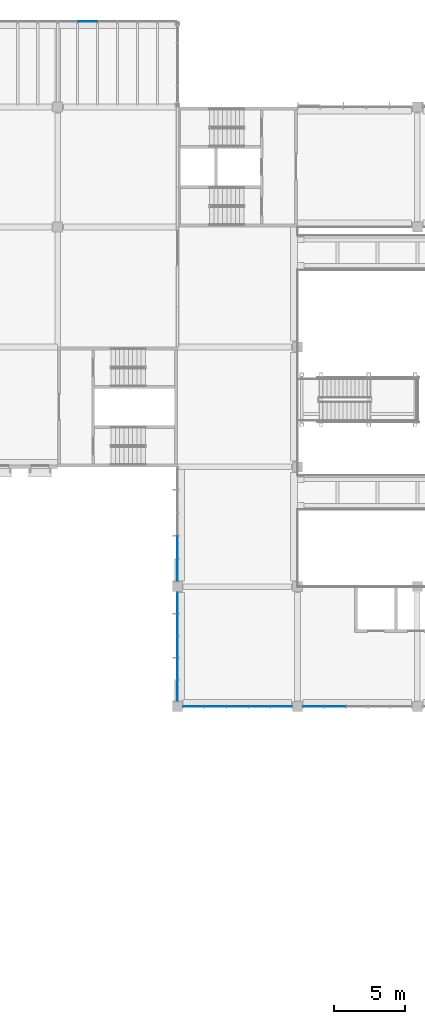
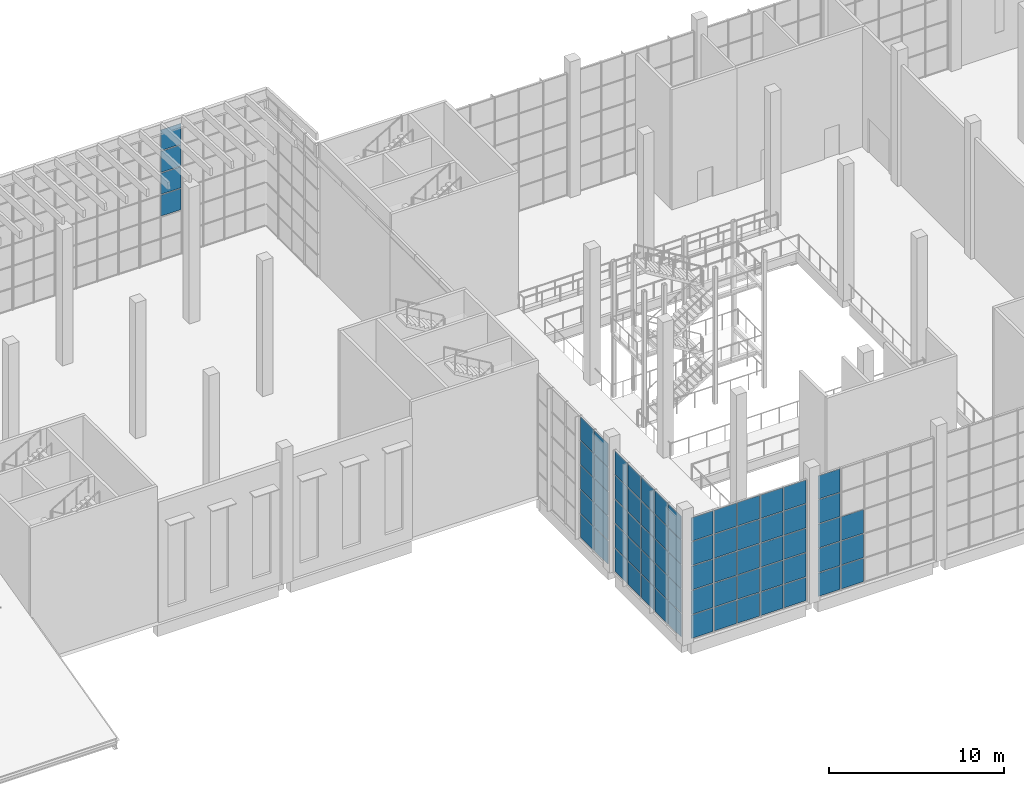
# One storey, part 34 of 114: 72 plates, 5 elements without a shape of their own.
"""IFC4 building model written with IfcOpenShell, lengths in metres."""

from ifc_helpers import new_model, si_unit, direction, frame, origin, origin_2d, place, context, subcontext, project, spatial, rectangle, extrude, material, layer, layer_set, type_object, element, aggregate, save


model = new_model("IFC4")

# Units and contexts
model_context = context("Model", 3, precision=1e-05, world=origin(), true_north=direction((0.0, 1.0)))
body_context = subcontext(model_context, "Body", "Model", "MODEL_VIEW")
ifc_project = project(units=[si_unit("LENGTHUNIT", "METRE"), si_unit("AREAUNIT", "SQUARE_METRE"), si_unit("VOLUMEUNIT", "CUBIC_METRE"), si_unit("PLANEANGLEUNIT", "RADIAN"), si_unit("MASSUNIT", "GRAM", prefix="KILO")], contexts=[model_context])

# Site, building, storey
site_placement = place(None, origin())
site = spatial("IfcSite", under=ifc_project, at=site_placement, CompositionType="ELEMENT")
building_placement = place(site_placement, origin())
building = spatial("IfcBuilding", under=site, at=building_placement, Name="Almond Square Museum", CompositionType="ELEMENT")
storey_placement = place(building_placement, frame((0.0, 0.0, 10.5)))
storey = spatial("IfcBuildingStorey", under=building, at=storey_placement, Name="L02", CompositionType="ELEMENT", Elevation=10.5)

# Curtain wall, plates
ifc_material_1 = material(Name="Aluminium and laminated glass", Category="aluminium")
curtain_wall_type = type_object("IfcCurtainWallType", Name="Unitised curtain wall 1500 module", PredefinedType="NOTDEFINED", material=ifc_material_1)
curtain_wall_1_placement = place(storey_placement, origin())
curtain_wall_1 = element("IfcCurtainWall", 1, at=curtain_wall_1_placement, inside=storey, type_object=curtain_wall_type, Name="Curtain wall CW-21", PredefinedType="NOTDEFINED")
ifc_material_2 = material(Name="Laminated hurricane-rated glass", Category="glass")
ifc_layer = layer(ifc_material_2, 0.035888671875)
ifc_layer_set = layer_set([ifc_layer], Name="Laminated hurricane-rated glass")
plate_type = type_object("IfcPlateType", Name="Laminated glass panel 36", PredefinedType="CURTAIN_PANEL", material=ifc_layer_set)
plate_1_placement = place(storey_placement, frame((66.89990234375, 115.199951171875, 3.08544921875), z_axis=(0.0, 0.0, 1.0), x_axis=(1.0, 0.0, 0.0)))
plate_1 = element("IfcPlate", 2, at=plate_1_placement, type_object=plate_type, Name="CW-21 panel 2.3", PredefinedType="CURTAIN_PANEL", context=body_context, shape_type="SweptSolid", body=[
    extrude(rectangle(XDim=1.340087890625, YDim=0.035888671875, at=origin_2d()), origin(), (0.0, 0.0, 1.0), 1.4677734375),
])
plate_2_placement = place(storey_placement, frame((66.89990234375, 115.199951171875, 4.613037109375), z_axis=(0.0, 0.0, 1.0), x_axis=(1.0, 0.0, 0.0)))
plate_2 = element("IfcPlate", 3, at=plate_2_placement, type_object=plate_type, Name="CW-21 panel 2.4", PredefinedType="CURTAIN_PANEL", context=body_context, shape_type="SweptSolid", body=[
    extrude(rectangle(XDim=1.340087890625, YDim=0.035888671875, at=origin_2d()), origin(), (0.0, 0.0, 1.0), 1.4677734375),
])
plate_3_placement = place(storey_placement, frame((66.89990234375, 115.199951171875, 6.140869140625), z_axis=(0.0, 0.0, 1.0), x_axis=(1.0, 0.0, 0.0)))
plate_3 = element("IfcPlate", 4, at=plate_3_placement, type_object=plate_type, Name="CW-21 panel 2.5", PredefinedType="CURTAIN_PANEL", context=body_context, shape_type="SweptSolid", body=[
    extrude(rectangle(XDim=1.340087890625, YDim=0.035888671875, at=origin_2d()), origin(), (0.0, 0.0, 1.0), 1.4677734375),
])
plate_4_placement = place(storey_placement, frame((66.89990234375, 115.199951171875, 7.66845703125), z_axis=(0.0, 0.0, 1.0), x_axis=(1.0, 0.0, 0.0)))
plate_4 = element("IfcPlate", 5, at=plate_4_placement, type_object=plate_type, Name="CW-21 panel 2.6", PredefinedType="CURTAIN_PANEL", context=body_context, shape_type="SweptSolid", body=[
    extrude(rectangle(XDim=1.340087890625, YDim=0.035888671875, at=origin_2d()), origin(), (0.0, 0.0, 1.0), 1.437744140625),
])
aggregate(curtain_wall_1, [plate_1, plate_2, plate_3, plate_4])

curtain_wall_2_placement = place(storey_placement, origin())
curtain_wall_2 = element("IfcCurtainWall", 6, at=curtain_wall_2_placement, inside=storey, type_object=curtain_wall_type, Name="Curtain wall CW-26", PredefinedType="NOTDEFINED")
plate_5_placement = place(storey_placement, frame((73.199951171875, 76.77001953125, 0.06005859375), z_axis=(0.0, 0.0, 1.0), x_axis=(0.0, 1.0, 0.0)))
plate_5 = element("IfcPlate", 7, at=plate_5_placement, type_object=plate_type, Name="CW-26 panel 1.1", PredefinedType="CURTAIN_PANEL", context=body_context, shape_type="SweptSolid", body=[
    extrude(rectangle(XDim=1.52001953125, YDim=0.035888671875, at=origin_2d()), origin(), (0.0, 0.0, 1.0), 1.6201171875),
])
plate_6_placement = place(storey_placement, frame((73.199951171875, 76.77001953125, 1.739990234375), z_axis=(0.0, 0.0, 1.0), x_axis=(0.0, 1.0, 0.0)))
plate_6 = element("IfcPlate", 8, at=plate_6_placement, type_object=plate_type, Name="CW-26 panel 1.2", PredefinedType="CURTAIN_PANEL", context=body_context, shape_type="SweptSolid", body=[
    extrude(rectangle(XDim=1.52001953125, YDim=0.035888671875, at=origin_2d()), origin(), (0.0, 0.0, 1.0), 1.64990234375),
])
plate_7_placement = place(storey_placement, frame((73.199951171875, 76.77001953125, 3.449951171875), z_axis=(0.0, 0.0, 1.0), x_axis=(0.0, 1.0, 0.0)))
plate_7 = element("IfcPlate", 9, at=plate_7_placement, type_object=plate_type, Name="CW-26 panel 1.3", PredefinedType="CURTAIN_PANEL", context=body_context, shape_type="SweptSolid", body=[
    extrude(rectangle(XDim=1.52001953125, YDim=0.035888671875, at=origin_2d()), origin(), (0.0, 0.0, 1.0), 1.64990234375),
])
plate_8_placement = place(storey_placement, frame((73.199951171875, 76.77001953125, 5.16015625), z_axis=(0.0, 0.0, 1.0), x_axis=(0.0, 1.0, 0.0)))
plate_8 = element("IfcPlate", 10, at=plate_8_placement, type_object=plate_type, Name="CW-26 panel 1.4", PredefinedType="CURTAIN_PANEL", context=body_context, shape_type="SweptSolid", body=[
    extrude(rectangle(XDim=1.52001953125, YDim=0.035888671875, at=origin_2d()), origin(), (0.0, 0.0, 1.0), 1.64990234375),
])
plate_9_placement = place(storey_placement, frame((73.199951171875, 76.77001953125, 6.869873046875), z_axis=(0.0, 0.0, 1.0), x_axis=(0.0, 1.0, 0.0)))
plate_9 = element("IfcPlate", 11, at=plate_9_placement, type_object=plate_type, Name="CW-26 panel 1.5", PredefinedType="CURTAIN_PANEL", context=body_context, shape_type="SweptSolid", body=[
    extrude(rectangle(XDim=1.52001953125, YDim=0.035888671875, at=origin_2d()), origin(), (0.0, 0.0, 1.0), 1.6201171875),
])
plate_10_placement = place(storey_placement, frame((73.199951171875, 78.364990234375, 0.06005859375), z_axis=(0.0, 0.0, 1.0), x_axis=(0.0, 1.0, 0.0)))
plate_10 = element("IfcPlate", 12, at=plate_10_placement, type_object=plate_type, Name="CW-26 panel 2.1", PredefinedType="CURTAIN_PANEL", context=body_context, shape_type="SweptSolid", body=[
    extrude(rectangle(XDim=1.550048828125, YDim=0.035888671875, at=origin_2d()), origin(), (0.0, 0.0, 1.0), 1.6201171875),
])
plate_11_placement = place(storey_placement, frame((73.199951171875, 78.364990234375, 1.739990234375), z_axis=(0.0, 0.0, 1.0), x_axis=(0.0, 1.0, 0.0)))
plate_11 = element("IfcPlate", 13, at=plate_11_placement, type_object=plate_type, Name="CW-26 panel 2.2", PredefinedType="CURTAIN_PANEL", context=body_context, shape_type="SweptSolid", body=[
    extrude(rectangle(XDim=1.550048828125, YDim=0.035888671875, at=origin_2d()), origin(), (0.0, 0.0, 1.0), 1.64990234375),
])
plate_12_placement = place(storey_placement, frame((73.199951171875, 78.364990234375, 3.449951171875), z_axis=(0.0, 0.0, 1.0), x_axis=(0.0, 1.0, 0.0)))
plate_12 = element("IfcPlate", 14, at=plate_12_placement, type_object=plate_type, Name="CW-26 panel 2.3", PredefinedType="CURTAIN_PANEL", context=body_context, shape_type="SweptSolid", body=[
    extrude(rectangle(XDim=1.550048828125, YDim=0.035888671875, at=origin_2d()), origin(), (0.0, 0.0, 1.0), 1.64990234375),
])
plate_13_placement = place(storey_placement, frame((73.199951171875, 78.364990234375, 5.16015625), z_axis=(0.0, 0.0, 1.0), x_axis=(0.0, 1.0, 0.0)))
plate_13 = element("IfcPlate", 15, at=plate_13_placement, type_object=plate_type, Name="CW-26 panel 2.4", PredefinedType="CURTAIN_PANEL", context=body_context, shape_type="SweptSolid", body=[
    extrude(rectangle(XDim=1.550048828125, YDim=0.035888671875, at=origin_2d()), origin(), (0.0, 0.0, 1.0), 1.64990234375),
])
plate_14_placement = place(storey_placement, frame((73.199951171875, 78.364990234375, 6.869873046875), z_axis=(0.0, 0.0, 1.0), x_axis=(0.0, 1.0, 0.0)))
plate_14 = element("IfcPlate", 16, at=plate_14_placement, type_object=plate_type, Name="CW-26 panel 2.5", PredefinedType="CURTAIN_PANEL", context=body_context, shape_type="SweptSolid", body=[
    extrude(rectangle(XDim=1.550048828125, YDim=0.035888671875, at=origin_2d()), origin(), (0.0, 0.0, 1.0), 1.6201171875),
])
aggregate(curtain_wall_2, [plate_5, plate_6, plate_7, plate_8, plate_9, plate_10, plate_11, plate_12, plate_13, plate_14])

curtain_wall_3_placement = place(storey_placement, origin())
curtain_wall_3 = element("IfcCurtainWall", 17, at=curtain_wall_3_placement, inside=storey, type_object=curtain_wall_type, Name="Curtain wall CW-27", PredefinedType="NOTDEFINED")
plate_15_placement = place(storey_placement, frame((73.199951171875, 68.3349609375, 0.06005859375), z_axis=(0.0, 0.0, 1.0), x_axis=(0.0, 1.0, 0.0)))
plate_15 = element("IfcPlate", 18, at=plate_15_placement, type_object=plate_type, Name="CW-27 panel 1.1", PredefinedType="CURTAIN_PANEL", context=body_context, shape_type="SweptSolid", body=[
    extrude(rectangle(XDim=1.449951171875, YDim=0.035888671875, at=origin_2d()), origin(), (0.0, 0.0, 1.0), 1.6201171875),
])
plate_16_placement = place(storey_placement, frame((73.199951171875, 68.3349609375, 1.739990234375), z_axis=(0.0, 0.0, 1.0), x_axis=(0.0, 1.0, 0.0)))
plate_16 = element("IfcPlate", 19, at=plate_16_placement, type_object=plate_type, Name="CW-27 panel 1.2", PredefinedType="CURTAIN_PANEL", context=body_context, shape_type="SweptSolid", body=[
    extrude(rectangle(XDim=1.449951171875, YDim=0.035888671875, at=origin_2d()), origin(), (0.0, 0.0, 1.0), 1.64990234375),
])
plate_17_placement = place(storey_placement, frame((73.199951171875, 68.3349609375, 3.449951171875), z_axis=(0.0, 0.0, 1.0), x_axis=(0.0, 1.0, 0.0)))
plate_17 = element("IfcPlate", 20, at=plate_17_placement, type_object=plate_type, Name="CW-27 panel 1.3", PredefinedType="CURTAIN_PANEL", context=body_context, shape_type="SweptSolid", body=[
    extrude(rectangle(XDim=1.449951171875, YDim=0.035888671875, at=origin_2d()), origin(), (0.0, 0.0, 1.0), 1.64990234375),
])
plate_18_placement = place(storey_placement, frame((73.199951171875, 68.3349609375, 5.16015625), z_axis=(0.0, 0.0, 1.0), x_axis=(0.0, 1.0, 0.0)))
plate_18 = element("IfcPlate", 21, at=plate_18_placement, type_object=plate_type, Name="CW-27 panel 1.4", PredefinedType="CURTAIN_PANEL", context=body_context, shape_type="SweptSolid", body=[
    extrude(rectangle(XDim=1.449951171875, YDim=0.035888671875, at=origin_2d()), origin(), (0.0, 0.0, 1.0), 1.64990234375),
])
plate_19_placement = place(storey_placement, frame((73.199951171875, 68.3349609375, 6.869873046875), z_axis=(0.0, 0.0, 1.0), x_axis=(0.0, 1.0, 0.0)))
plate_19 = element("IfcPlate", 22, at=plate_19_placement, type_object=plate_type, Name="CW-27 panel 1.5", PredefinedType="CURTAIN_PANEL", context=body_context, shape_type="SweptSolid", body=[
    extrude(rectangle(XDim=1.449951171875, YDim=0.035888671875, at=origin_2d()), origin(), (0.0, 0.0, 1.0), 1.6201171875),
])
plate_20_placement = place(storey_placement, frame((73.199951171875, 69.860107421875, 0.06005859375), z_axis=(0.0, 0.0, 1.0), x_axis=(0.0, 1.0, 0.0)))
plate_20 = element("IfcPlate", 23, at=plate_20_placement, type_object=plate_type, Name="CW-27 panel 2.1", PredefinedType="CURTAIN_PANEL", context=body_context, shape_type="SweptSolid", body=[
    extrude(rectangle(XDim=1.47998046875, YDim=0.035888671875, at=origin_2d()), origin(), (0.0, 0.0, 1.0), 1.6201171875),
])
plate_21_placement = place(storey_placement, frame((73.199951171875, 69.860107421875, 1.739990234375), z_axis=(0.0, 0.0, 1.0), x_axis=(0.0, 1.0, 0.0)))
plate_21 = element("IfcPlate", 24, at=plate_21_placement, type_object=plate_type, Name="CW-27 panel 2.2", PredefinedType="CURTAIN_PANEL", context=body_context, shape_type="SweptSolid", body=[
    extrude(rectangle(XDim=1.47998046875, YDim=0.035888671875, at=origin_2d()), origin(), (0.0, 0.0, 1.0), 1.64990234375),
])
plate_22_placement = place(storey_placement, frame((73.199951171875, 69.860107421875, 3.449951171875), z_axis=(0.0, 0.0, 1.0), x_axis=(0.0, 1.0, 0.0)))
plate_22 = element("IfcPlate", 25, at=plate_22_placement, type_object=plate_type, Name="CW-27 panel 2.3", PredefinedType="CURTAIN_PANEL", context=body_context, shape_type="SweptSolid", body=[
    extrude(rectangle(XDim=1.47998046875, YDim=0.035888671875, at=origin_2d()), origin(), (0.0, 0.0, 1.0), 1.64990234375),
])
plate_23_placement = place(storey_placement, frame((73.199951171875, 69.860107421875, 5.16015625), z_axis=(0.0, 0.0, 1.0), x_axis=(0.0, 1.0, 0.0)))
plate_23 = element("IfcPlate", 26, at=plate_23_placement, type_object=plate_type, Name="CW-27 panel 2.4", PredefinedType="CURTAIN_PANEL", context=body_context, shape_type="SweptSolid", body=[
    extrude(rectangle(XDim=1.47998046875, YDim=0.035888671875, at=origin_2d()), origin(), (0.0, 0.0, 1.0), 1.64990234375),
])
plate_24_placement = place(storey_placement, frame((73.199951171875, 69.860107421875, 6.869873046875), z_axis=(0.0, 0.0, 1.0), x_axis=(0.0, 1.0, 0.0)))
plate_24 = element("IfcPlate", 27, at=plate_24_placement, type_object=plate_type, Name="CW-27 panel 2.5", PredefinedType="CURTAIN_PANEL", context=body_context, shape_type="SweptSolid", body=[
    extrude(rectangle(XDim=1.47998046875, YDim=0.035888671875, at=origin_2d()), origin(), (0.0, 0.0, 1.0), 1.6201171875),
])
plate_25_placement = place(storey_placement, frame((73.199951171875, 71.39990234375, 0.06005859375), z_axis=(0.0, 0.0, 1.0), x_axis=(0.0, 1.0, 0.0)))
plate_25 = element("IfcPlate", 28, at=plate_25_placement, type_object=plate_type, Name="CW-27 panel 3.1", PredefinedType="CURTAIN_PANEL", context=body_context, shape_type="SweptSolid", body=[
    extrude(rectangle(XDim=1.47998046875, YDim=0.035888671875, at=origin_2d()), origin(), (0.0, 0.0, 1.0), 1.6201171875),
])
plate_26_placement = place(storey_placement, frame((73.199951171875, 71.39990234375, 1.739990234375), z_axis=(0.0, 0.0, 1.0), x_axis=(0.0, 1.0, 0.0)))
plate_26 = element("IfcPlate", 29, at=plate_26_placement, type_object=plate_type, Name="CW-27 panel 3.2", PredefinedType="CURTAIN_PANEL", context=body_context, shape_type="SweptSolid", body=[
    extrude(rectangle(XDim=1.47998046875, YDim=0.035888671875, at=origin_2d()), origin(), (0.0, 0.0, 1.0), 1.64990234375),
])
plate_27_placement = place(storey_placement, frame((73.199951171875, 71.39990234375, 3.449951171875), z_axis=(0.0, 0.0, 1.0), x_axis=(0.0, 1.0, 0.0)))
plate_27 = element("IfcPlate", 30, at=plate_27_placement, type_object=plate_type, Name="CW-27 panel 3.3", PredefinedType="CURTAIN_PANEL", context=body_context, shape_type="SweptSolid", body=[
    extrude(rectangle(XDim=1.47998046875, YDim=0.035888671875, at=origin_2d()), origin(), (0.0, 0.0, 1.0), 1.64990234375),
])
plate_28_placement = place(storey_placement, frame((73.199951171875, 71.39990234375, 5.16015625), z_axis=(0.0, 0.0, 1.0), x_axis=(0.0, 1.0, 0.0)))
plate_28 = element("IfcPlate", 31, at=plate_28_placement, type_object=plate_type, Name="CW-27 panel 3.4", PredefinedType="CURTAIN_PANEL", context=body_context, shape_type="SweptSolid", body=[
    extrude(rectangle(XDim=1.47998046875, YDim=0.035888671875, at=origin_2d()), origin(), (0.0, 0.0, 1.0), 1.64990234375),
])
plate_29_placement = place(storey_placement, frame((73.199951171875, 71.39990234375, 6.869873046875), z_axis=(0.0, 0.0, 1.0), x_axis=(0.0, 1.0, 0.0)))
plate_29 = element("IfcPlate", 32, at=plate_29_placement, type_object=plate_type, Name="CW-27 panel 3.5", PredefinedType="CURTAIN_PANEL", context=body_context, shape_type="SweptSolid", body=[
    extrude(rectangle(XDim=1.47998046875, YDim=0.035888671875, at=origin_2d()), origin(), (0.0, 0.0, 1.0), 1.6201171875),
])
plate_30_placement = place(storey_placement, frame((73.199951171875, 72.93994140625, 0.06005859375), z_axis=(0.0, 0.0, 1.0), x_axis=(0.0, 1.0, 0.0)))
plate_30 = element("IfcPlate", 33, at=plate_30_placement, type_object=plate_type, Name="CW-27 panel 4.1", PredefinedType="CURTAIN_PANEL", context=body_context, shape_type="SweptSolid", body=[
    extrude(rectangle(XDim=1.47998046875, YDim=0.035888671875, at=origin_2d()), origin(), (0.0, 0.0, 1.0), 1.6201171875),
])
plate_31_placement = place(storey_placement, frame((73.199951171875, 72.93994140625, 1.739990234375), z_axis=(0.0, 0.0, 1.0), x_axis=(0.0, 1.0, 0.0)))
plate_31 = element("IfcPlate", 34, at=plate_31_placement, type_object=plate_type, Name="CW-27 panel 4.2", PredefinedType="CURTAIN_PANEL", context=body_context, shape_type="SweptSolid", body=[
    extrude(rectangle(XDim=1.47998046875, YDim=0.035888671875, at=origin_2d()), origin(), (0.0, 0.0, 1.0), 1.64990234375),
])
plate_32_placement = place(storey_placement, frame((73.199951171875, 72.93994140625, 3.449951171875), z_axis=(0.0, 0.0, 1.0), x_axis=(0.0, 1.0, 0.0)))
plate_32 = element("IfcPlate", 35, at=plate_32_placement, type_object=plate_type, Name="CW-27 panel 4.3", PredefinedType="CURTAIN_PANEL", context=body_context, shape_type="SweptSolid", body=[
    extrude(rectangle(XDim=1.47998046875, YDim=0.035888671875, at=origin_2d()), origin(), (0.0, 0.0, 1.0), 1.64990234375),
])
plate_33_placement = place(storey_placement, frame((73.199951171875, 72.93994140625, 5.16015625), z_axis=(0.0, 0.0, 1.0), x_axis=(0.0, 1.0, 0.0)))
plate_33 = element("IfcPlate", 36, at=plate_33_placement, type_object=plate_type, Name="CW-27 panel 4.4", PredefinedType="CURTAIN_PANEL", context=body_context, shape_type="SweptSolid", body=[
    extrude(rectangle(XDim=1.47998046875, YDim=0.035888671875, at=origin_2d()), origin(), (0.0, 0.0, 1.0), 1.64990234375),
])
plate_34_placement = place(storey_placement, frame((73.199951171875, 72.93994140625, 6.869873046875), z_axis=(0.0, 0.0, 1.0), x_axis=(0.0, 1.0, 0.0)))
plate_34 = element("IfcPlate", 37, at=plate_34_placement, type_object=plate_type, Name="CW-27 panel 4.5", PredefinedType="CURTAIN_PANEL", context=body_context, shape_type="SweptSolid", body=[
    extrude(rectangle(XDim=1.47998046875, YDim=0.035888671875, at=origin_2d()), origin(), (0.0, 0.0, 1.0), 1.6201171875),
])
plate_35_placement = place(storey_placement, frame((73.199951171875, 74.465087890625, 0.06005859375), z_axis=(0.0, 0.0, 1.0), x_axis=(0.0, 1.0, 0.0)))
plate_35 = element("IfcPlate", 38, at=plate_35_placement, type_object=plate_type, Name="CW-27 panel 5.1", PredefinedType="CURTAIN_PANEL", context=body_context, shape_type="SweptSolid", body=[
    extrude(rectangle(XDim=1.449951171875, YDim=0.035888671875, at=origin_2d()), origin(), (0.0, 0.0, 1.0), 1.6201171875),
])
plate_36_placement = place(storey_placement, frame((73.199951171875, 74.465087890625, 1.739990234375), z_axis=(0.0, 0.0, 1.0), x_axis=(0.0, 1.0, 0.0)))
plate_36 = element("IfcPlate", 39, at=plate_36_placement, type_object=plate_type, Name="CW-27 panel 5.2", PredefinedType="CURTAIN_PANEL", context=body_context, shape_type="SweptSolid", body=[
    extrude(rectangle(XDim=1.449951171875, YDim=0.035888671875, at=origin_2d()), origin(), (0.0, 0.0, 1.0), 1.64990234375),
])
plate_37_placement = place(storey_placement, frame((73.199951171875, 74.465087890625, 3.449951171875), z_axis=(0.0, 0.0, 1.0), x_axis=(0.0, 1.0, 0.0)))
plate_37 = element("IfcPlate", 40, at=plate_37_placement, type_object=plate_type, Name="CW-27 panel 5.3", PredefinedType="CURTAIN_PANEL", context=body_context, shape_type="SweptSolid", body=[
    extrude(rectangle(XDim=1.449951171875, YDim=0.035888671875, at=origin_2d()), origin(), (0.0, 0.0, 1.0), 1.64990234375),
])
plate_38_placement = place(storey_placement, frame((73.199951171875, 74.465087890625, 5.16015625), z_axis=(0.0, 0.0, 1.0), x_axis=(0.0, 1.0, 0.0)))
plate_38 = element("IfcPlate", 41, at=plate_38_placement, type_object=plate_type, Name="CW-27 panel 5.4", PredefinedType="CURTAIN_PANEL", context=body_context, shape_type="SweptSolid", body=[
    extrude(rectangle(XDim=1.449951171875, YDim=0.035888671875, at=origin_2d()), origin(), (0.0, 0.0, 1.0), 1.64990234375),
])
plate_39_placement = place(storey_placement, frame((73.199951171875, 74.465087890625, 6.869873046875), z_axis=(0.0, 0.0, 1.0), x_axis=(0.0, 1.0, 0.0)))
plate_39 = element("IfcPlate", 42, at=plate_39_placement, type_object=plate_type, Name="CW-27 panel 5.5", PredefinedType="CURTAIN_PANEL", context=body_context, shape_type="SweptSolid", body=[
    extrude(rectangle(XDim=1.449951171875, YDim=0.035888671875, at=origin_2d()), origin(), (0.0, 0.0, 1.0), 1.6201171875),
])
aggregate(curtain_wall_3, [plate_15, plate_16, plate_17, plate_18, plate_19, plate_20, plate_21, plate_22, plate_23, plate_24, plate_25, plate_26, plate_27, plate_28, plate_29, plate_30, plate_31, plate_32, plate_33, plate_34, plate_35, plate_36, plate_37, plate_38, plate_39])

curtain_wall_4_placement = place(storey_placement, origin())
curtain_wall_4 = element("IfcCurtainWall", 43, at=curtain_wall_4_placement, inside=storey, type_object=curtain_wall_type, Name="Curtain wall CW-28", PredefinedType="NOTDEFINED")
plate_40_placement = place(storey_placement, frame((74.3349609375, 67.199951171875, 0.06005859375), z_axis=(0.0, 0.0, 1.0), x_axis=(1.0, 0.0, 0.0)))
plate_40 = element("IfcPlate", 44, at=plate_40_placement, type_object=plate_type, Name="CW-28 panel 1.1", PredefinedType="CURTAIN_PANEL", context=body_context, shape_type="SweptSolid", body=[
    extrude(rectangle(XDim=1.449951171875, YDim=0.035888671875, at=origin_2d()), origin(), (0.0, 0.0, 1.0), 1.6201171875),
])
plate_41_placement = place(storey_placement, frame((74.3349609375, 67.199951171875, 1.739990234375), z_axis=(0.0, 0.0, 1.0), x_axis=(1.0, 0.0, 0.0)))
plate_41 = element("IfcPlate", 45, at=plate_41_placement, type_object=plate_type, Name="CW-28 panel 1.2", PredefinedType="CURTAIN_PANEL", context=body_context, shape_type="SweptSolid", body=[
    extrude(rectangle(XDim=1.449951171875, YDim=0.035888671875, at=origin_2d()), origin(), (0.0, 0.0, 1.0), 1.64990234375),
])
plate_42_placement = place(storey_placement, frame((74.3349609375, 67.199951171875, 3.449951171875), z_axis=(0.0, 0.0, 1.0), x_axis=(1.0, 0.0, 0.0)))
plate_42 = element("IfcPlate", 46, at=plate_42_placement, type_object=plate_type, Name="CW-28 panel 1.3", PredefinedType="CURTAIN_PANEL", context=body_context, shape_type="SweptSolid", body=[
    extrude(rectangle(XDim=1.449951171875, YDim=0.035888671875, at=origin_2d()), origin(), (0.0, 0.0, 1.0), 1.64990234375),
])
plate_43_placement = place(storey_placement, frame((74.3349609375, 67.199951171875, 5.16015625), z_axis=(0.0, 0.0, 1.0), x_axis=(1.0, 0.0, 0.0)))
plate_43 = element("IfcPlate", 47, at=plate_43_placement, type_object=plate_type, Name="CW-28 panel 1.4", PredefinedType="CURTAIN_PANEL", context=body_context, shape_type="SweptSolid", body=[
    extrude(rectangle(XDim=1.449951171875, YDim=0.035888671875, at=origin_2d()), origin(), (0.0, 0.0, 1.0), 1.64990234375),
])
plate_44_placement = place(storey_placement, frame((74.3349609375, 67.199951171875, 6.869873046875), z_axis=(0.0, 0.0, 1.0), x_axis=(1.0, 0.0, 0.0)))
plate_44 = element("IfcPlate", 48, at=plate_44_placement, type_object=plate_type, Name="CW-28 panel 1.5", PredefinedType="CURTAIN_PANEL", context=body_context, shape_type="SweptSolid", body=[
    extrude(rectangle(XDim=1.449951171875, YDim=0.035888671875, at=origin_2d()), origin(), (0.0, 0.0, 1.0), 1.6201171875),
])
plate_45_placement = place(storey_placement, frame((75.860107421875, 67.199951171875, 0.06005859375), z_axis=(0.0, 0.0, 1.0), x_axis=(1.0, 0.0, 0.0)))
plate_45 = element("IfcPlate", 49, at=plate_45_placement, type_object=plate_type, Name="CW-28 panel 2.1", PredefinedType="CURTAIN_PANEL", context=body_context, shape_type="SweptSolid", body=[
    extrude(rectangle(XDim=1.47998046875, YDim=0.035888671875, at=origin_2d()), origin(), (0.0, 0.0, 1.0), 1.6201171875),
])
plate_46_placement = place(storey_placement, frame((75.860107421875, 67.199951171875, 1.739990234375), z_axis=(0.0, 0.0, 1.0), x_axis=(1.0, 0.0, 0.0)))
plate_46 = element("IfcPlate", 50, at=plate_46_placement, type_object=plate_type, Name="CW-28 panel 2.2", PredefinedType="CURTAIN_PANEL", context=body_context, shape_type="SweptSolid", body=[
    extrude(rectangle(XDim=1.47998046875, YDim=0.035888671875, at=origin_2d()), origin(), (0.0, 0.0, 1.0), 1.64990234375),
])
plate_47_placement = place(storey_placement, frame((75.860107421875, 67.199951171875, 3.449951171875), z_axis=(0.0, 0.0, 1.0), x_axis=(1.0, 0.0, 0.0)))
plate_47 = element("IfcPlate", 51, at=plate_47_placement, type_object=plate_type, Name="CW-28 panel 2.3", PredefinedType="CURTAIN_PANEL", context=body_context, shape_type="SweptSolid", body=[
    extrude(rectangle(XDim=1.47998046875, YDim=0.035888671875, at=origin_2d()), origin(), (0.0, 0.0, 1.0), 1.64990234375),
])
plate_48_placement = place(storey_placement, frame((75.860107421875, 67.199951171875, 5.16015625), z_axis=(0.0, 0.0, 1.0), x_axis=(1.0, 0.0, 0.0)))
plate_48 = element("IfcPlate", 52, at=plate_48_placement, type_object=plate_type, Name="CW-28 panel 2.4", PredefinedType="CURTAIN_PANEL", context=body_context, shape_type="SweptSolid", body=[
    extrude(rectangle(XDim=1.47998046875, YDim=0.035888671875, at=origin_2d()), origin(), (0.0, 0.0, 1.0), 1.64990234375),
])
plate_49_placement = place(storey_placement, frame((75.860107421875, 67.199951171875, 6.869873046875), z_axis=(0.0, 0.0, 1.0), x_axis=(1.0, 0.0, 0.0)))
plate_49 = element("IfcPlate", 53, at=plate_49_placement, type_object=plate_type, Name="CW-28 panel 2.5", PredefinedType="CURTAIN_PANEL", context=body_context, shape_type="SweptSolid", body=[
    extrude(rectangle(XDim=1.47998046875, YDim=0.035888671875, at=origin_2d()), origin(), (0.0, 0.0, 1.0), 1.6201171875),
])
plate_50_placement = place(storey_placement, frame((77.39990234375, 67.199951171875, 0.06005859375), z_axis=(0.0, 0.0, 1.0), x_axis=(1.0, 0.0, 0.0)))
plate_50 = element("IfcPlate", 54, at=plate_50_placement, type_object=plate_type, Name="CW-28 panel 3.1", PredefinedType="CURTAIN_PANEL", context=body_context, shape_type="SweptSolid", body=[
    extrude(rectangle(XDim=1.47998046875, YDim=0.035888671875, at=origin_2d()), origin(), (0.0, 0.0, 1.0), 1.6201171875),
])
plate_51_placement = place(storey_placement, frame((77.39990234375, 67.199951171875, 1.739990234375), z_axis=(0.0, 0.0, 1.0), x_axis=(1.0, 0.0, 0.0)))
plate_51 = element("IfcPlate", 55, at=plate_51_placement, type_object=plate_type, Name="CW-28 panel 3.2", PredefinedType="CURTAIN_PANEL", context=body_context, shape_type="SweptSolid", body=[
    extrude(rectangle(XDim=1.47998046875, YDim=0.035888671875, at=origin_2d()), origin(), (0.0, 0.0, 1.0), 1.64990234375),
])
plate_52_placement = place(storey_placement, frame((77.39990234375, 67.199951171875, 3.449951171875), z_axis=(0.0, 0.0, 1.0), x_axis=(1.0, 0.0, 0.0)))
plate_52 = element("IfcPlate", 56, at=plate_52_placement, type_object=plate_type, Name="CW-28 panel 3.3", PredefinedType="CURTAIN_PANEL", context=body_context, shape_type="SweptSolid", body=[
    extrude(rectangle(XDim=1.47998046875, YDim=0.035888671875, at=origin_2d()), origin(), (0.0, 0.0, 1.0), 1.64990234375),
])
plate_53_placement = place(storey_placement, frame((77.39990234375, 67.199951171875, 5.16015625), z_axis=(0.0, 0.0, 1.0), x_axis=(1.0, 0.0, 0.0)))
plate_53 = element("IfcPlate", 57, at=plate_53_placement, type_object=plate_type, Name="CW-28 panel 3.4", PredefinedType="CURTAIN_PANEL", context=body_context, shape_type="SweptSolid", body=[
    extrude(rectangle(XDim=1.47998046875, YDim=0.035888671875, at=origin_2d()), origin(), (0.0, 0.0, 1.0), 1.64990234375),
])
plate_54_placement = place(storey_placement, frame((77.39990234375, 67.199951171875, 6.869873046875), z_axis=(0.0, 0.0, 1.0), x_axis=(1.0, 0.0, 0.0)))
plate_54 = element("IfcPlate", 58, at=plate_54_placement, type_object=plate_type, Name="CW-28 panel 3.5", PredefinedType="CURTAIN_PANEL", context=body_context, shape_type="SweptSolid", body=[
    extrude(rectangle(XDim=1.47998046875, YDim=0.035888671875, at=origin_2d()), origin(), (0.0, 0.0, 1.0), 1.6201171875),
])
plate_55_placement = place(storey_placement, frame((78.93994140625, 67.199951171875, 0.06005859375), z_axis=(0.0, 0.0, 1.0), x_axis=(1.0, 0.0, 0.0)))
plate_55 = element("IfcPlate", 59, at=plate_55_placement, type_object=plate_type, Name="CW-28 panel 4.1", PredefinedType="CURTAIN_PANEL", context=body_context, shape_type="SweptSolid", body=[
    extrude(rectangle(XDim=1.47998046875, YDim=0.035888671875, at=origin_2d()), origin(), (0.0, 0.0, 1.0), 1.6201171875),
])
plate_56_placement = place(storey_placement, frame((78.93994140625, 67.199951171875, 1.739990234375), z_axis=(0.0, 0.0, 1.0), x_axis=(1.0, 0.0, 0.0)))
plate_56 = element("IfcPlate", 60, at=plate_56_placement, type_object=plate_type, Name="CW-28 panel 4.2", PredefinedType="CURTAIN_PANEL", context=body_context, shape_type="SweptSolid", body=[
    extrude(rectangle(XDim=1.47998046875, YDim=0.035888671875, at=origin_2d()), origin(), (0.0, 0.0, 1.0), 1.64990234375),
])
plate_57_placement = place(storey_placement, frame((78.93994140625, 67.199951171875, 3.449951171875), z_axis=(0.0, 0.0, 1.0), x_axis=(1.0, 0.0, 0.0)))
plate_57 = element("IfcPlate", 61, at=plate_57_placement, type_object=plate_type, Name="CW-28 panel 4.3", PredefinedType="CURTAIN_PANEL", context=body_context, shape_type="SweptSolid", body=[
    extrude(rectangle(XDim=1.47998046875, YDim=0.035888671875, at=origin_2d()), origin(), (0.0, 0.0, 1.0), 1.64990234375),
])
plate_58_placement = place(storey_placement, frame((78.93994140625, 67.199951171875, 5.16015625), z_axis=(0.0, 0.0, 1.0), x_axis=(1.0, 0.0, 0.0)))
plate_58 = element("IfcPlate", 62, at=plate_58_placement, type_object=plate_type, Name="CW-28 panel 4.4", PredefinedType="CURTAIN_PANEL", context=body_context, shape_type="SweptSolid", body=[
    extrude(rectangle(XDim=1.47998046875, YDim=0.035888671875, at=origin_2d()), origin(), (0.0, 0.0, 1.0), 1.64990234375),
])
plate_59_placement = place(storey_placement, frame((78.93994140625, 67.199951171875, 6.869873046875), z_axis=(0.0, 0.0, 1.0), x_axis=(1.0, 0.0, 0.0)))
plate_59 = element("IfcPlate", 63, at=plate_59_placement, type_object=plate_type, Name="CW-28 panel 4.5", PredefinedType="CURTAIN_PANEL", context=body_context, shape_type="SweptSolid", body=[
    extrude(rectangle(XDim=1.47998046875, YDim=0.035888671875, at=origin_2d()), origin(), (0.0, 0.0, 1.0), 1.6201171875),
])
plate_60_placement = place(storey_placement, frame((80.465087890625, 67.199951171875, 0.06005859375), z_axis=(0.0, 0.0, 1.0), x_axis=(1.0, 0.0, 0.0)))
plate_60 = element("IfcPlate", 64, at=plate_60_placement, type_object=plate_type, Name="CW-28 panel 5.1", PredefinedType="CURTAIN_PANEL", context=body_context, shape_type="SweptSolid", body=[
    extrude(rectangle(XDim=1.449951171875, YDim=0.035888671875, at=origin_2d()), origin(), (0.0, 0.0, 1.0), 1.6201171875),
])
plate_61_placement = place(storey_placement, frame((80.465087890625, 67.199951171875, 1.739990234375), z_axis=(0.0, 0.0, 1.0), x_axis=(1.0, 0.0, 0.0)))
plate_61 = element("IfcPlate", 65, at=plate_61_placement, type_object=plate_type, Name="CW-28 panel 5.2", PredefinedType="CURTAIN_PANEL", context=body_context, shape_type="SweptSolid", body=[
    extrude(rectangle(XDim=1.449951171875, YDim=0.035888671875, at=origin_2d()), origin(), (0.0, 0.0, 1.0), 1.64990234375),
])
plate_62_placement = place(storey_placement, frame((80.465087890625, 67.199951171875, 3.449951171875), z_axis=(0.0, 0.0, 1.0), x_axis=(1.0, 0.0, 0.0)))
plate_62 = element("IfcPlate", 66, at=plate_62_placement, type_object=plate_type, Name="CW-28 panel 5.3", PredefinedType="CURTAIN_PANEL", context=body_context, shape_type="SweptSolid", body=[
    extrude(rectangle(XDim=1.449951171875, YDim=0.035888671875, at=origin_2d()), origin(), (0.0, 0.0, 1.0), 1.64990234375),
])
plate_63_placement = place(storey_placement, frame((80.465087890625, 67.199951171875, 5.16015625), z_axis=(0.0, 0.0, 1.0), x_axis=(1.0, 0.0, 0.0)))
plate_63 = element("IfcPlate", 67, at=plate_63_placement, type_object=plate_type, Name="CW-28 panel 5.4", PredefinedType="CURTAIN_PANEL", context=body_context, shape_type="SweptSolid", body=[
    extrude(rectangle(XDim=1.449951171875, YDim=0.035888671875, at=origin_2d()), origin(), (0.0, 0.0, 1.0), 1.64990234375),
])
plate_64_placement = place(storey_placement, frame((80.465087890625, 67.199951171875, 6.869873046875), z_axis=(0.0, 0.0, 1.0), x_axis=(1.0, 0.0, 0.0)))
plate_64 = element("IfcPlate", 68, at=plate_64_placement, type_object=plate_type, Name="CW-28 panel 5.5", PredefinedType="CURTAIN_PANEL", context=body_context, shape_type="SweptSolid", body=[
    extrude(rectangle(XDim=1.449951171875, YDim=0.035888671875, at=origin_2d()), origin(), (0.0, 0.0, 1.0), 1.6201171875),
])
aggregate(curtain_wall_4, [plate_40, plate_41, plate_42, plate_43, plate_44, plate_45, plate_46, plate_47, plate_48, plate_49, plate_50, plate_51, plate_52, plate_53, plate_54, plate_55, plate_56, plate_57, plate_58, plate_59, plate_60, plate_61, plate_62, plate_63, plate_64])

curtain_wall_5_placement = place(storey_placement, origin())
curtain_wall_5 = element("IfcCurtainWall", 69, at=curtain_wall_5_placement, inside=storey, type_object=curtain_wall_type, Name="Curtain wall CW-29", PredefinedType="NOTDEFINED")
plate_65_placement = place(storey_placement, frame((82.735107421875, 67.199951171875, 0.06005859375), z_axis=(0.0, 0.0, 1.0), x_axis=(1.0, 0.0, 0.0)))
plate_65 = element("IfcPlate", 70, at=plate_65_placement, type_object=plate_type, Name="CW-29 panel 1.1", PredefinedType="CURTAIN_PANEL", context=body_context, shape_type="SweptSolid", body=[
    extrude(rectangle(XDim=1.449951171875, YDim=0.035888671875, at=origin_2d()), origin(), (0.0, 0.0, 1.0), 1.6201171875),
])
plate_66_placement = place(storey_placement, frame((82.735107421875, 67.199951171875, 1.739990234375), z_axis=(0.0, 0.0, 1.0), x_axis=(1.0, 0.0, 0.0)))
plate_66 = element("IfcPlate", 71, at=plate_66_placement, type_object=plate_type, Name="CW-29 panel 1.2", PredefinedType="CURTAIN_PANEL", context=body_context, shape_type="SweptSolid", body=[
    extrude(rectangle(XDim=1.449951171875, YDim=0.035888671875, at=origin_2d()), origin(), (0.0, 0.0, 1.0), 1.64990234375),
])
plate_67_placement = place(storey_placement, frame((82.735107421875, 67.199951171875, 3.449951171875), z_axis=(0.0, 0.0, 1.0), x_axis=(1.0, 0.0, 0.0)))
plate_67 = element("IfcPlate", 72, at=plate_67_placement, type_object=plate_type, Name="CW-29 panel 1.3", PredefinedType="CURTAIN_PANEL", context=body_context, shape_type="SweptSolid", body=[
    extrude(rectangle(XDim=1.449951171875, YDim=0.035888671875, at=origin_2d()), origin(), (0.0, 0.0, 1.0), 1.64990234375),
])
plate_68_placement = place(storey_placement, frame((82.735107421875, 67.199951171875, 5.16015625), z_axis=(0.0, 0.0, 1.0), x_axis=(1.0, 0.0, 0.0)))
plate_68 = element("IfcPlate", 73, at=plate_68_placement, type_object=plate_type, Name="CW-29 panel 1.4", PredefinedType="CURTAIN_PANEL", context=body_context, shape_type="SweptSolid", body=[
    extrude(rectangle(XDim=1.449951171875, YDim=0.035888671875, at=origin_2d()), origin(), (0.0, 0.0, 1.0), 1.64990234375),
])
plate_69_placement = place(storey_placement, frame((82.735107421875, 67.199951171875, 6.869873046875), z_axis=(0.0, 0.0, 1.0), x_axis=(1.0, 0.0, 0.0)))
plate_69 = element("IfcPlate", 74, at=plate_69_placement, type_object=plate_type, Name="CW-29 panel 1.5", PredefinedType="CURTAIN_PANEL", context=body_context, shape_type="SweptSolid", body=[
    extrude(rectangle(XDim=1.449951171875, YDim=0.035888671875, at=origin_2d()), origin(), (0.0, 0.0, 1.0), 1.6201171875),
])
plate_70_placement = place(storey_placement, frame((84.260009765625, 67.199951171875, 0.06005859375), z_axis=(0.0, 0.0, 1.0), x_axis=(1.0, 0.0, 0.0)))
plate_70 = element("IfcPlate", 75, at=plate_70_placement, type_object=plate_type, Name="CW-29 panel 2.1", PredefinedType="CURTAIN_PANEL", context=body_context, shape_type="SweptSolid", body=[
    extrude(rectangle(XDim=1.47998046875, YDim=0.035888671875, at=origin_2d()), origin(), (0.0, 0.0, 1.0), 1.6201171875),
])
plate_71_placement = place(storey_placement, frame((84.260009765625, 67.199951171875, 1.739990234375), z_axis=(0.0, 0.0, 1.0), x_axis=(1.0, 0.0, 0.0)))
plate_71 = element("IfcPlate", 76, at=plate_71_placement, type_object=plate_type, Name="CW-29 panel 2.2", PredefinedType="CURTAIN_PANEL", context=body_context, shape_type="SweptSolid", body=[
    extrude(rectangle(XDim=1.47998046875, YDim=0.035888671875, at=origin_2d()), origin(), (0.0, 0.0, 1.0), 1.64990234375),
])
plate_72_placement = place(storey_placement, frame((84.260009765625, 67.199951171875, 3.449951171875), z_axis=(0.0, 0.0, 1.0), x_axis=(1.0, 0.0, 0.0)))
plate_72 = element("IfcPlate", 77, at=plate_72_placement, type_object=plate_type, Name="CW-29 panel 2.3", PredefinedType="CURTAIN_PANEL", context=body_context, shape_type="SweptSolid", body=[
    extrude(rectangle(XDim=1.47998046875, YDim=0.035888671875, at=origin_2d()), origin(), (0.0, 0.0, 1.0), 1.64990234375),
])
aggregate(curtain_wall_5, [plate_65, plate_66, plate_67, plate_68, plate_69, plate_70, plate_71, plate_72])

save(model, "model.ifc")
